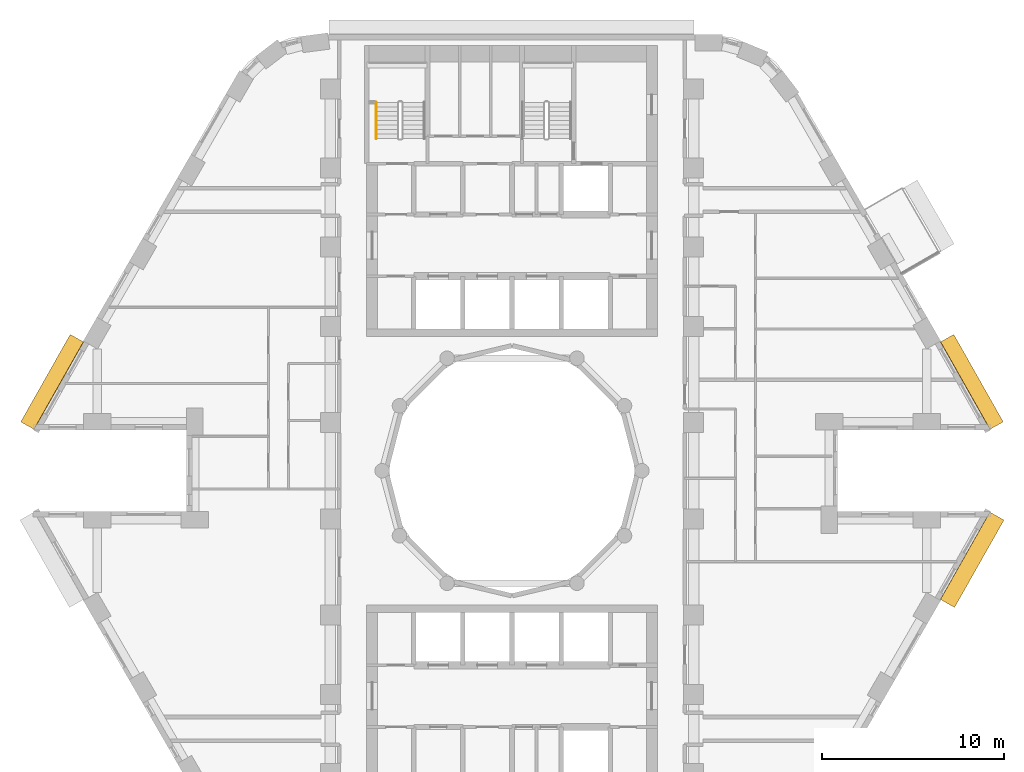
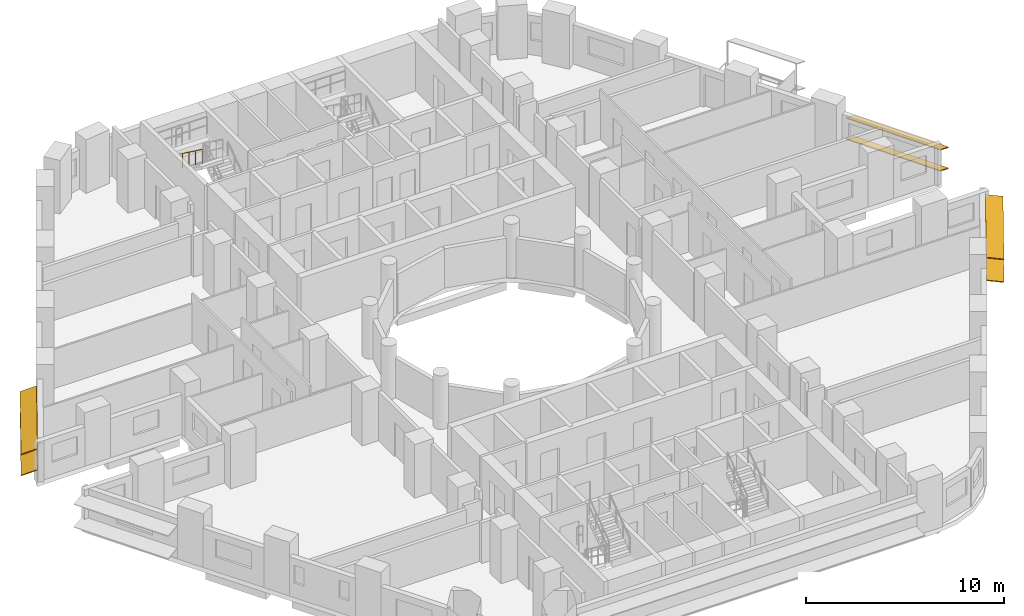
# One storey, part 12 of 13: 6 shading devices, 1 railing.
"""IFC4 building model written with IfcOpenShell, lengths in metres."""

from ifc_helpers import new_model, si_unit, direction, frame, origin, origin_2d, place, context, subcontext, project, spatial, rectangle, circle, extrude, material, material_profile, profile_set, type_object, element, save


model = new_model("IFC4")

# Units and contexts
model_context = context("Model", 3, precision=1e-05, world=origin(), true_north=direction((0.0, 1.0)))
body_context = subcontext(model_context, "Body", "Model", "MODEL_VIEW")
ifc_project = project(units=[si_unit("LENGTHUNIT", "METRE"), si_unit("AREAUNIT", "SQUARE_METRE"), si_unit("VOLUMEUNIT", "CUBIC_METRE"), si_unit("PLANEANGLEUNIT", "RADIAN"), si_unit("MASSUNIT", "GRAM", prefix="KILO")], contexts=[model_context])

# Site, building, storey
site_placement = place(None, origin())
site = spatial("IfcSite", under=ifc_project, at=site_placement, CompositionType="ELEMENT")
building_placement = place(site_placement, origin())
building = spatial("IfcBuilding", under=site, at=building_placement, Name="Nakaniwa Court", CompositionType="ELEMENT")
storey_placement = place(building_placement, frame((0.0, 0.0, 64.5)))
storey = spatial("IfcBuildingStorey", under=building, at=storey_placement, Name="L17", CompositionType="ELEMENT", Elevation=64.5)

# Shading devices
ifc_material_1 = material(Name="Perforated charcoal ceramic louvre blade")
ifc_material_profile = material_profile(ifc_material_1, rectangle(XDim=0.89990234375, YDim=0.050048828125, at=origin_2d()), Name="Perforated ceramic louvre blade")
ifc_profile_set = profile_set([ifc_material_profile], Name="Perforated charcoal ceramic louvre blade")
shading_device_type = type_object("IfcShadingDeviceType", Name="Perforated ceramic louvre blade", PredefinedType="JALOUSIE", material=ifc_profile_set)
for number, where, z_axis, x_axis, name in (
    (1, (106.662353515625, 82.480224609375, 0.550048828125), (-0.492342539441, 0.870401530247, 0.0), (-0.80472628244, -0.455193342019, 0.38107037635), "L17 perforated ceramic louvre blade w02 1"),
    (2, (106.662353515625, 82.480224609375, 1.845458984375), (-0.492342539441, 0.870401530247, 0.0), (-0.80472628244, -0.455193342019, 0.38107037635), "L17 perforated ceramic louvre blade w02 2"),
    (3, (56.05859375, 87.29052734375, 0.550048828125), (-0.492342539441, -0.870401530247, 0.0), (0.80472628244, -0.455193342019, 0.38107037635), "L17 perforated ceramic louvre blade w14 1"),
    (4, (56.05859375, 87.29052734375, 1.845458984375), (-0.492342539441, -0.870401530247, 0.0), (0.80472628244, -0.455193342019, 0.38107037635), "L17 perforated ceramic louvre blade w14 2"),
    (5, (103.962158203125, 72.69775390625, 0.550048828125), (0.492342539441, 0.870401530247, 0.0), (-0.86275552304, 0.488017576221, 0.132256390257), "L17 perforated ceramic louvre blade w32 1"),
    (6, (103.962158203125, 72.69775390625, 1.955810546875), (0.492342539441, 0.870401530247, 0.0), (-0.86275552304, 0.488017576221, 0.132256390257), "L17 perforated ceramic louvre blade w32 2"),
):
    element("IfcShadingDevice", number, at=place(storey_placement, frame(where, z_axis=z_axis, x_axis=x_axis)), inside=storey, type_object=shading_device_type, Name=name, PredefinedType="JALOUSIE", context=body_context, shape_type="SweptSolid", body=[
        extrude(rectangle(XDim=0.89990234375, YDim=0.050048828125, at=origin_2d()), origin(), (0.0, 0.0, 1.0), 5.526611328125),
    ])

# Railing
ifc_material_2 = material(Name="Black powder coated steel handrail", Category="steel")
railing_type = type_object("IfcRailingType", Name="Stair handrail 900", PredefinedType="HANDRAIL", material=ifc_material_2)
railing_placement = place(storey_placement, frame((72.52490234375, 100.27490234375, 1.833251953125)))
element("IfcRailing", 7, at=railing_placement, inside=storey, type_object=railing_type, Name="L17 ST1 stair handrail 2", PredefinedType="HANDRAIL", context=body_context, shape_type="SweptSolid", body=[
    extrude(circle(Radius=0.02392578125, at=origin_2d()), frame((0.0, 0.0, 0.8759765625), z_axis=(0.0, -0.806379959628, 0.591397802423), x_axis=(1.0, 0.0, 0.0)), (0.0, 0.0, 1.0), 2.480224609375),
    extrude(circle(Radius=0.02099609375, at=origin_2d()), origin(), (0.0, 0.0, 1.0), 0.851806640625),
    extrude(circle(Radius=0.02099609375, at=origin_2d()), frame((0.0, -0.666748046875, 0.489013671875)), (0.0, 0.0, 1.0), 0.851806640625),
    extrude(circle(Radius=0.02099609375, at=origin_2d()), frame((0.0, -1.333251953125, 0.977783203125)), (0.0, 0.0, 1.0), 0.851806640625),
    extrude(circle(Radius=0.02099609375, at=origin_2d()), frame((0.0, -2.0, 1.466796875)), (0.0, 0.0, 1.0), 0.851806640625),
])

save(model, "model.ifc")
